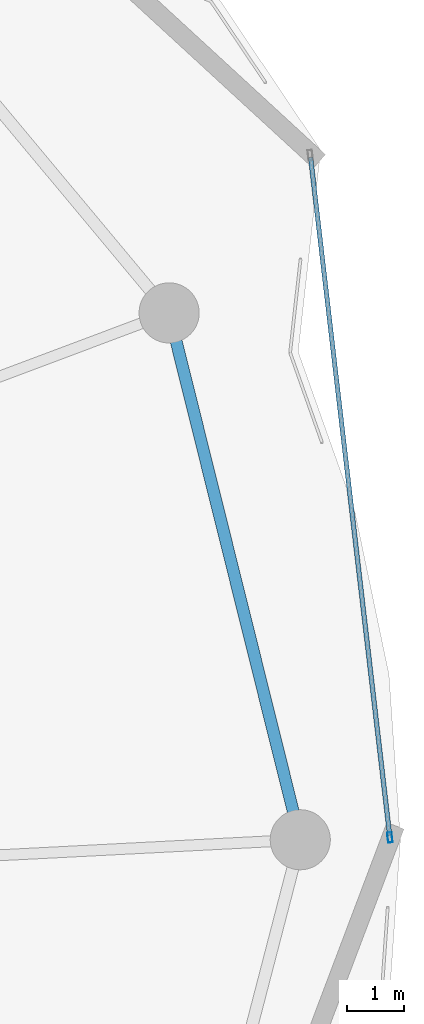
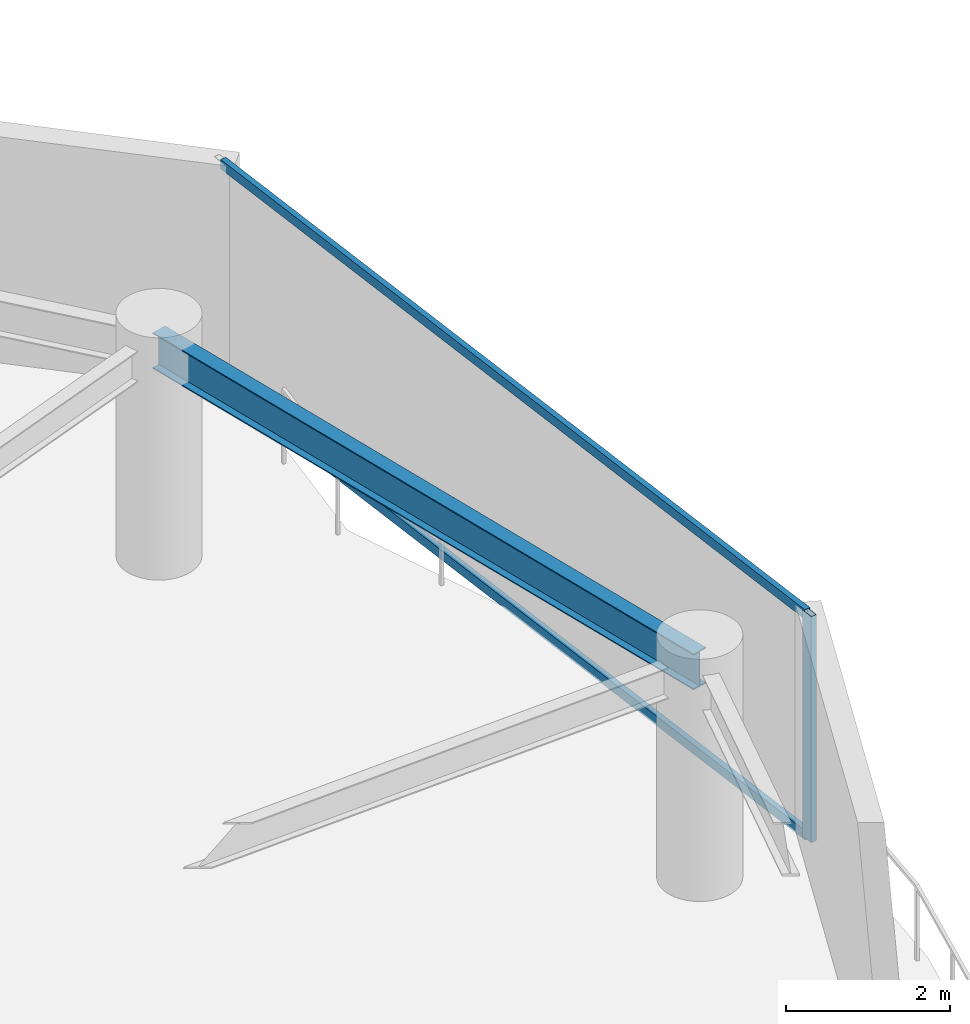
# One storey, part 16 of 31: 3 members, 1 beam, 1 element without a shape of its own.
"""IFC4 building model written with IfcOpenShell, lengths in metres."""

from ifc_helpers import new_model, si_unit, direction, frame, origin, origin_2d, place, context, subcontext, project, spatial, hollow_rectangle, i_section, extrude, material, layer, layer_set, material_profile, profile_set, type_object, element, aggregate, save


model = new_model("IFC4")

# Units and contexts
model_context = context("Model", 3, precision=1e-05, world=origin(), true_north=direction((0.0, 1.0)))
body_context = subcontext(model_context, "Body", "Model", "MODEL_VIEW")
ifc_project = project(units=[si_unit("LENGTHUNIT", "METRE"), si_unit("AREAUNIT", "SQUARE_METRE"), si_unit("VOLUMEUNIT", "CUBIC_METRE"), si_unit("PLANEANGLEUNIT", "RADIAN"), si_unit("MASSUNIT", "GRAM", prefix="KILO")], contexts=[model_context])

# Site, building, storey
site_placement = place(None, origin())
site = spatial("IfcSite", under=ifc_project, at=site_placement, CompositionType="ELEMENT")
building_placement = place(site_placement, origin())
building = spatial("IfcBuilding", under=site, at=building_placement, Name="Kazevale Care Tower and Concert Hall", CompositionType="ELEMENT")
storey_placement = place(building_placement, frame((0.0, 0.0, 210.0)))
storey = spatial("IfcBuildingStorey", under=building, at=storey_placement, Name="L55", CompositionType="ELEMENT", Elevation=210.0)

# Curtain wall, members
ifc_material_1 = material(Name="Aluminium 6063-T6 and Low-E Glass", Category="aluminium")
ifc_layer = layer(ifc_material_1, 0.179931640625)
ifc_layer_set = layer_set([ifc_layer], Name="Aluminium 6063-T6 and Low-E Glass")
curtain_wall_type = type_object("IfcCurtainWallType", Name="Waist & Upper Residential Curtain Wall CW-4", PredefinedType="NOTDEFINED", material=ifc_layer_set)
curtain_wall_placement = place(storey_placement, origin())
curtain_wall = element("IfcCurtainWall", 1, at=curtain_wall_placement, inside=storey, type_object=curtain_wall_type, Name="cw:L55:f18", PredefinedType="NOTDEFINED")
ifc_material_2 = material(Name="Aluminium 6063-T6", Category="aluminium")
ifc_material_profile_1 = material_profile(ifc_material_2, hollow_rectangle(XDim=0.080078125, YDim=0.179931640625, WallThickness=0.0048828125, at=origin_2d()), Name="ALU80x180x5")
ifc_profile_set_1 = profile_set([ifc_material_profile_1], Name="Aluminium 6063-T6")
member_type_1 = type_object("IfcMemberType", Name="CW-4 Mullion ALU80x180x5", PredefinedType="MULLION", material=ifc_profile_set_1)
member_1_placement = place(storey_placement, frame((76.615478515625, 38.039794921875, 0.0), z_axis=(0.0, 0.0, 1.0), x_axis=(0.993267109779, 0.115846659989, 0.0)))
member_1 = element("IfcMember", 2, at=member_1_placement, type_object=member_type_1, Name="CW-4 mullion 2", PredefinedType="MULLION", context=body_context, shape_type="SweptSolid", body=[
    extrude(hollow_rectangle(XDim=0.080078125, YDim=0.179931640625, WallThickness=0.0048828125, at=origin_2d()), origin(), (0.0, 0.0, 1.0), 3.360107421875),
])
ifc_material_profile_2 = material_profile(ifc_material_2, hollow_rectangle(XDim=0.080078125, YDim=0.139892578125, WallThickness=0.00390625, at=origin_2d()), Name="ALU80x140x4")
ifc_profile_set_2 = profile_set([ifc_material_profile_2], Name="Aluminium 6063-T6")
member_type_2 = type_object("IfcMemberType", Name="CW-4 Transom ALU80x140x4", PredefinedType="USERDEFINED", material=ifc_profile_set_2)
member_2_placement = place(storey_placement, frame((75.230224609375, 49.91552734375, 0.0400390625), z_axis=(0.115858128775, -0.993265772086, 0.0), x_axis=(0.993265772086, 0.115858128775, 0.0)))
member_2 = element("IfcMember", 3, at=member_2_placement, type_object=member_type_2, Name="CW-4 transom 1.1", ObjectType="TRANSOM", PredefinedType="USERDEFINED", context=body_context, shape_type="SweptSolid", body=[
    extrude(hollow_rectangle(XDim=0.080078125, YDim=0.139892578125, WallThickness=0.00390625, at=origin_2d()), origin(), (0.0, 0.0, 1.0), 11.91650390625),
])
member_3_placement = place(storey_placement, frame((75.230224609375, 49.91552734375, 3.320068359375), z_axis=(0.115858128775, -0.993265772086, 0.0), x_axis=(0.993265772086, 0.115858128775, 0.0)))
member_3 = element("IfcMember", 4, at=member_3_placement, type_object=member_type_2, Name="CW-4 transom 1.2", ObjectType="TRANSOM", PredefinedType="USERDEFINED", context=body_context, shape_type="SweptSolid", body=[
    extrude(hollow_rectangle(XDim=0.080078125, YDim=0.139892578125, WallThickness=0.00390625, at=origin_2d()), origin(), (0.0, 0.0, 1.0), 11.91650390625),
])
aggregate(curtain_wall, [member_1, member_2, member_3])

# Beam
ifc_material_3 = material(Name="Steel ASTM A572 Gr 50", Category="steel")
ifc_material_profile_3 = material_profile(ifc_material_3, i_section(OverallWidth=0.208984375, OverallDepth=0.532958984375, WebThickness=0.01025390625, FlangeThickness=0.015625, at=origin_2d()), Name="W530x92")
ifc_profile_set_3 = profile_set([ifc_material_profile_3], Name="Steel ASTM A572 Gr 50")
beam_type = type_object("IfcBeamType", Name="Upper Ring Beam W530x92", PredefinedType="BEAM", material=ifc_profile_set_3)
beam_placement = place(storey_placement, frame((75.050048828125, 38.0, 3.093505859375), z_axis=(-0.241547858543, 0.970388907621, 0.0), x_axis=(-0.970388907621, -0.241547858543, 0.0)))
element("IfcBeam", 5, at=beam_placement, inside=storey, type_object=beam_type, Name="beam:L55:ring:01", PredefinedType="BEAM", context=body_context, shape_type="SweptSolid", body=[
    extrude(i_section(OverallWidth=0.208984375, OverallDepth=0.532958984375, WebThickness=0.01025390625, FlangeThickness=0.015625, at=origin_2d()), origin(), (0.0, 0.0, 1.0), 9.480712890625),
])

save(model, "model.ifc")
